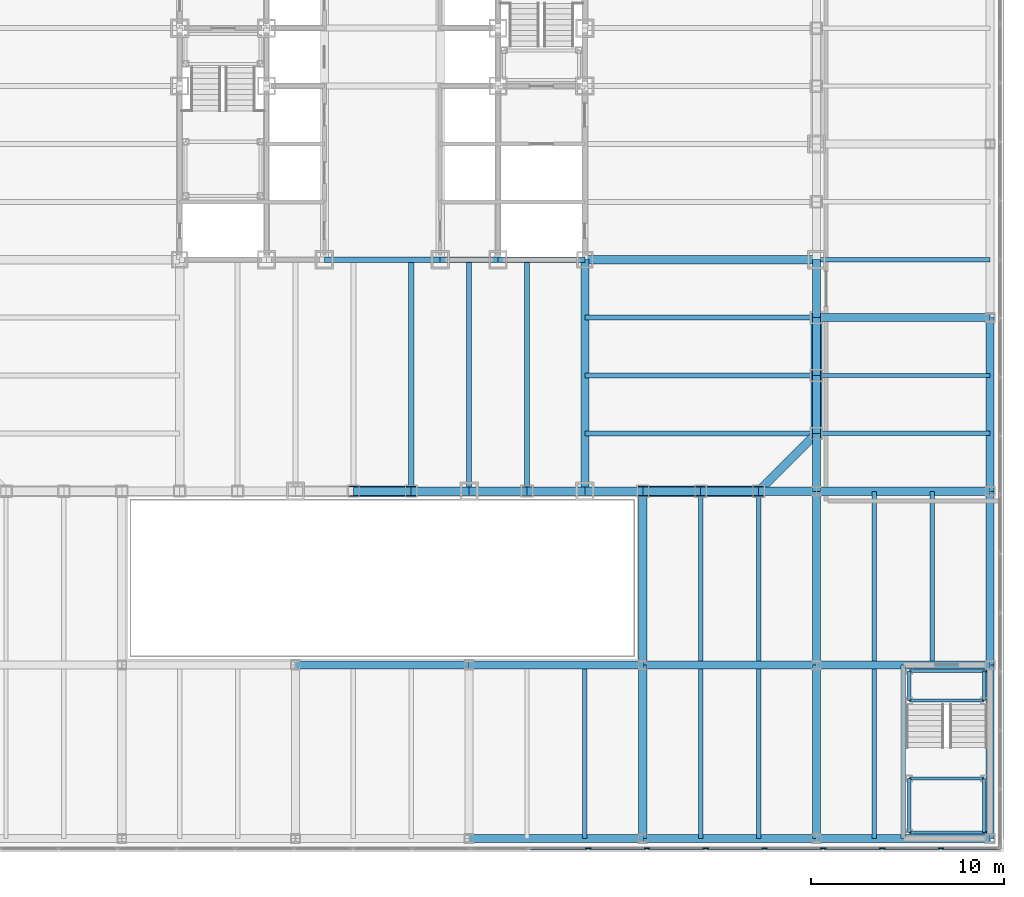
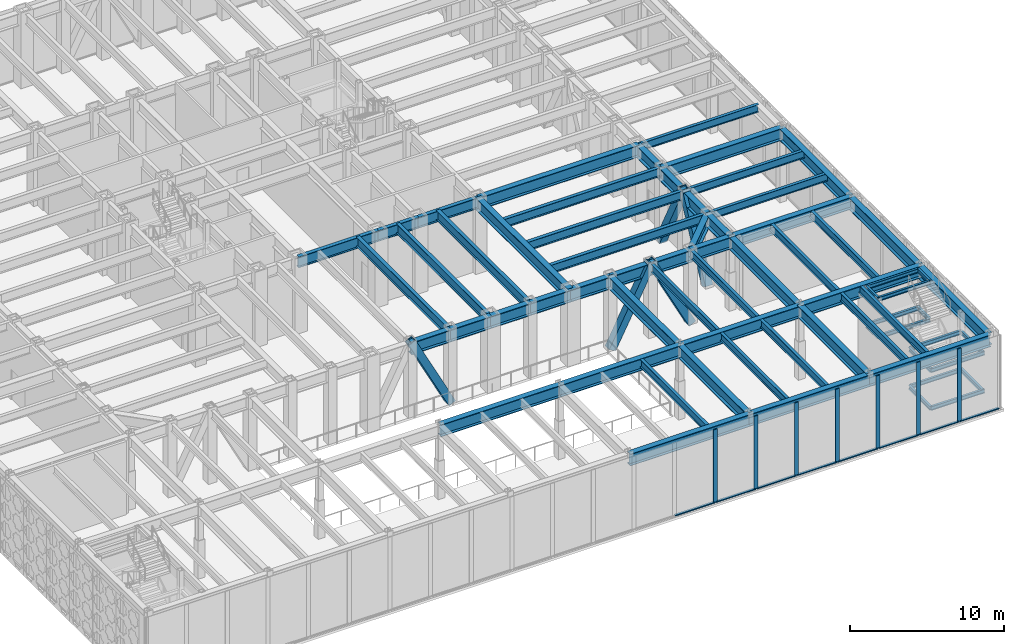
# One storey, part 5 of 32: 68 beams, 20 members, 1 element without a shape of its own.
"""IFC4 building model written with IfcOpenShell, lengths in metres."""

from ifc_helpers import new_model, si_unit, direction, frame, origin, origin_2d, place, context, subcontext, project, spatial, rectangle, hollow_rectangle, i_section, extrude, material, layer, layer_set, material_profile, profile_set, type_object, element, aggregate, save


model = new_model("IFC4")

# Units and contexts
model_context = context("Model", 3, precision=1e-05, world=origin(), true_north=direction((0.0, 1.0)))
body_context = subcontext(model_context, "Body", "Model", "MODEL_VIEW")
ifc_project = project(units=[si_unit("LENGTHUNIT", "METRE"), si_unit("AREAUNIT", "SQUARE_METRE"), si_unit("VOLUMEUNIT", "CUBIC_METRE"), si_unit("PLANEANGLEUNIT", "RADIAN"), si_unit("MASSUNIT", "GRAM", prefix="KILO")], contexts=[model_context])

# Site, building, storey
site_placement = place(None, origin())
site = spatial("IfcSite", under=ifc_project, at=site_placement, CompositionType="ELEMENT")
building_placement = place(site_placement, origin())
building = spatial("IfcBuilding", under=site, at=building_placement, Name="Chuquiago Exchange Tower", CompositionType="ELEMENT")
storey_placement = place(building_placement, frame((0.0, 0.0, 13.5)))
storey = spatial("IfcBuildingStorey", under=building, at=storey_placement, Name="L02", CompositionType="ELEMENT", Elevation=13.5)

# Beams
ifc_material_1 = material(Name="Steel ASTM A992", Category="steel")
ifc_material_profile_1 = material_profile(ifc_material_1, i_section(OverallWidth=0.2919921875, OverallDepth=0.8583984375, WebThickness=0.01708984375, FlangeThickness=0.031005859375, at=origin_2d()), Name="W33X169")
ifc_profile_set_1 = profile_set([ifc_material_profile_1], Name="Steel ASTM A992")
beam_type_1 = type_object("IfcBeamType", Name="B3 W33X169", PredefinedType="BEAM", material=ifc_profile_set_1)
beam_1_placement = place(storey_placement, frame((19.5, 12.0, 5.37060546875), z_axis=(1.0, 0.0, 0.0), x_axis=(0.0, 1.0, 0.0)))
element("IfcBeam", 1, at=beam_1_placement, inside=storey, type_object=beam_type_1, Name="CB-L03-19.5_12-25.5_12", PredefinedType="BEAM", context=body_context, shape_type="SweptSolid", body=[
    extrude(i_section(OverallWidth=0.2919921875, OverallDepth=0.8583984375, WebThickness=0.01708984375, FlangeThickness=0.031005859375, at=origin_2d()), origin(), (0.0, 0.0, 1.0), 6.0),
])
beam_2_placement = place(storey_placement, frame((25.5, 12.0, 5.37060546875), z_axis=(1.0, 0.0, 0.0), x_axis=(0.0, 1.0, 0.0)))
element("IfcBeam", 2, at=beam_2_placement, inside=storey, type_object=beam_type_1, Name="CB-L03-25.5_12-28.5_12", PredefinedType="BEAM", context=body_context, shape_type="SweptSolid", body=[
    extrude(i_section(OverallWidth=0.2919921875, OverallDepth=0.8583984375, WebThickness=0.01708984375, FlangeThickness=0.031005859375, at=origin_2d()), origin(), (0.0, 0.0, 1.0), 3.0),
])
beam_3_placement = place(storey_placement, frame((28.5, 12.0, 5.37060546875), z_axis=(1.0, 0.0, 0.0), x_axis=(0.0, 1.0, 0.0)))
element("IfcBeam", 3, at=beam_3_placement, inside=storey, type_object=beam_type_1, Name="CB-L03-28.5_12-33_12", PredefinedType="BEAM", context=body_context, shape_type="SweptSolid", body=[
    extrude(i_section(OverallWidth=0.2919921875, OverallDepth=0.8583984375, WebThickness=0.01708984375, FlangeThickness=0.031005859375, at=origin_2d()), origin(), (0.0, 0.0, 1.0), 4.5),
])
ifc_material_2 = material(Name="Steel ASTM A992", Category="steel")
ifc_material_profile_2 = material_profile(ifc_material_2, i_section(OverallWidth=0.2666015625, OverallDepth=0.761962890625, WebThickness=0.014404296875, FlangeThickness=0.021484375, at=origin_2d()), Name="W30X116")
ifc_profile_set_2 = profile_set([ifc_material_profile_2], Name="Steel ASTM A992")
beam_type_2 = type_object("IfcBeamType", Name="B8 W30X116", PredefinedType="BEAM", material=ifc_profile_set_2)
for number, where, z_axis, x_axis, name in (
    (4, (24.0, 12.0, 5.4189453125), (0.0, -1.0, 0.0), (1.0, 0.0, 0.0), "FB-L03-infill-24_12-24_-0-0"),
    (5, (27.0, 12.0, 5.4189453125), (0.0, -1.0, 0.0), (1.0, 0.0, 0.0), "FB-L03-infill-27_12-27_-0-0"),
    (6, (30.0, 12.0, 5.4189453125), (0.0, -1.0, 0.0), (1.0, 0.0, 0.0), "FB-L03-infill-30_12-30_-0-0"),
):
    element("IfcBeam", number, at=place(storey_placement, frame(where, z_axis=z_axis, x_axis=x_axis)), inside=storey, type_object=beam_type_2, Name=name, PredefinedType="BEAM", context=body_context, shape_type="SweptSolid", body=[
        extrude(i_section(OverallWidth=0.2666015625, OverallDepth=0.761962890625, WebThickness=0.014404296875, FlangeThickness=0.021484375, at=origin_2d()), origin(), (0.0, 0.0, 1.0), 12.0),
    ])
ifc_material_3 = material(Name="Steel ASTM A992", Category="steel")
ifc_material_profile_3 = material_profile(ifc_material_3, i_section(OverallWidth=0.256591796875, OverallDepth=0.693359375, WebThickness=0.014404296875, FlangeThickness=0.023681640625, at=origin_2d()), Name="W27X114")
ifc_profile_set_3 = profile_set([ifc_material_profile_3], Name="Steel ASTM A992")
beam_type_3 = type_object("IfcBeamType", Name="B9 W27X114", PredefinedType="BEAM", material=ifc_profile_set_3)
for number, where, z_axis, x_axis, name in (
    (7, (33.0, 3.0, 5.453369140625), (1.0, 0.0, 0.0), (0.0, 1.0, 0.0), "FB-L03-corner-33_3-45_3-0"),
    (8, (33.0, 6.0, 5.453369140625), (1.0, 0.0, 0.0), (0.0, 1.0, 0.0), "FB-L03-corner-33_6-45_6-0"),
    (9, (33.0, 9.0, 5.453369140625), (1.0, 0.0, 0.0), (0.0, 1.0, 0.0), "FB-L03-corner-33_9-45_9-0"),
):
    element("IfcBeam", number, at=place(storey_placement, frame(where, z_axis=z_axis, x_axis=x_axis)), inside=storey, type_object=beam_type_3, Name=name, PredefinedType="BEAM", context=body_context, shape_type="SweptSolid", body=[
        extrude(i_section(OverallWidth=0.256591796875, OverallDepth=0.693359375, WebThickness=0.014404296875, FlangeThickness=0.023681640625, at=origin_2d()), origin(), (0.0, 0.0, 1.0), 12.0),
    ])

# Curtain wall, members
ifc_material_4 = material(Name="Aluminium curtain wall system", Category="aluminium")
ifc_layer = layer(ifc_material_4, 0.300048828125)
ifc_layer_set = layer_set([ifc_layer], Name="CW4 podium curtain wall")
curtain_wall_type = type_object("IfcCurtainWallType", Name="CW4 podium curtain wall", PredefinedType="NOTDEFINED", material=ifc_layer_set)
curtain_wall_placement = place(storey_placement, origin())
curtain_wall = element("IfcCurtainWall", 10, at=curtain_wall_placement, inside=storey, type_object=curtain_wall_type, Name="CW4 curtain wall L02", PredefinedType="NOTDEFINED")
ifc_material_5 = material(Name="Aluminium mullion, pale anodised", Category="aluminium")
ifc_material_profile_4 = material_profile(ifc_material_5, rectangle(XDim=0.074951171875, YDim=0.300048828125, at=origin_2d()), Name="AL 75x300")
ifc_profile_set_4 = profile_set([ifc_material_profile_4], Name="Aluminium mullion, pale anodised")
member_type_1 = type_object("IfcMemberType", Name="CW4-M mullion 75x300", PredefinedType="MULLION", material=ifc_profile_set_4)
member_1_placement = place(storey_placement, frame((33.166748046875, -18.5, 0.0), z_axis=(0.0, 0.0, 1.0), x_axis=(0.0, 1.0, 0.0)))
member_1 = element("IfcMember", 11, at=member_1_placement, type_object=member_type_1, Name="CW4 mullion 15", PredefinedType="MULLION", context=body_context, shape_type="SweptSolid", body=[
    extrude(rectangle(XDim=0.074951171875, YDim=0.300048828125, at=origin_2d()), origin(), (0.0, 0.0, 1.0), 5.800048828125),
])
member_2_placement = place(storey_placement, frame((36.21435546875, -18.5, 0.0), z_axis=(0.0, 0.0, 1.0), x_axis=(0.0, 1.0, 0.0)))
member_2 = element("IfcMember", 12, at=member_2_placement, type_object=member_type_1, Name="CW4 mullion 16", PredefinedType="MULLION", context=body_context, shape_type="SweptSolid", body=[
    extrude(rectangle(XDim=0.074951171875, YDim=0.300048828125, at=origin_2d()), origin(), (0.0, 0.0, 1.0), 5.800048828125),
])
member_3_placement = place(storey_placement, frame((39.261962890625, -18.5, 0.0), z_axis=(0.0, 0.0, 1.0), x_axis=(0.0, 1.0, 0.0)))
member_3 = element("IfcMember", 13, at=member_3_placement, type_object=member_type_1, Name="CW4 mullion 17", PredefinedType="MULLION", context=body_context, shape_type="SweptSolid", body=[
    extrude(rectangle(XDim=0.074951171875, YDim=0.300048828125, at=origin_2d()), origin(), (0.0, 0.0, 1.0), 5.800048828125),
])
member_4_placement = place(storey_placement, frame((42.3095703125, -18.5, 0.0), z_axis=(0.0, 0.0, 1.0), x_axis=(0.0, 1.0, 0.0)))
member_4 = element("IfcMember", 14, at=member_4_placement, type_object=member_type_1, Name="CW4 mullion 18", PredefinedType="MULLION", context=body_context, shape_type="SweptSolid", body=[
    extrude(rectangle(XDim=0.074951171875, YDim=0.300048828125, at=origin_2d()), origin(), (0.0, 0.0, 1.0), 5.800048828125),
])
member_5_placement = place(storey_placement, frame((45.357177734375, -18.5, 0.0), z_axis=(0.0, 0.0, 1.0), x_axis=(0.0, 1.0, 0.0)))
member_5 = element("IfcMember", 15, at=member_5_placement, type_object=member_type_1, Name="CW4 mullion 19", PredefinedType="MULLION", context=body_context, shape_type="SweptSolid", body=[
    extrude(rectangle(XDim=0.074951171875, YDim=0.300048828125, at=origin_2d()), origin(), (0.0, 0.0, 1.0), 5.800048828125),
])
member_6_placement = place(storey_placement, frame((48.40478515625, -18.5, 0.0), z_axis=(0.0, 0.0, 1.0), x_axis=(0.0, 1.0, 0.0)))
member_6 = element("IfcMember", 16, at=member_6_placement, type_object=member_type_1, Name="CW4 mullion 20", PredefinedType="MULLION", context=body_context, shape_type="SweptSolid", body=[
    extrude(rectangle(XDim=0.074951171875, YDim=0.300048828125, at=origin_2d()), origin(), (0.0, 0.0, 1.0), 5.800048828125),
])
member_7_placement = place(storey_placement, frame((51.452392578125, -18.5, 0.0), z_axis=(0.0, 0.0, 1.0), x_axis=(0.0, 1.0, 0.0)))
member_7 = element("IfcMember", 17, at=member_7_placement, type_object=member_type_1, Name="CW4 mullion 21", PredefinedType="MULLION", context=body_context, shape_type="SweptSolid", body=[
    extrude(rectangle(XDim=0.074951171875, YDim=0.300048828125, at=origin_2d()), origin(), (0.0, 0.0, 1.0), 5.800048828125),
])
ifc_material_6 = material(Name="Aluminium transom, pale anodised", Category="aluminium")
ifc_material_profile_5 = material_profile(ifc_material_6, rectangle(XDim=0.179931640625, YDim=0.074951171875, at=origin_2d()), Name="AL 180x75")
ifc_profile_set_5 = profile_set([ifc_material_profile_5], Name="Aluminium transom, pale anodised")
member_type_2 = type_object("IfcMemberType", Name="CW4-T transom 75x180", PredefinedType="MULLION", material=ifc_profile_set_5)
member_8_placement = place(storey_placement, frame((30.156494140625, -18.5, 0.03759765625), z_axis=(1.0, 0.0, 0.0), x_axis=(0.0, 1.0, 0.0)))
member_8 = element("IfcMember", 18, at=member_8_placement, type_object=member_type_2, Name="CW4 transom 14.1", PredefinedType="MULLION", context=body_context, shape_type="SweptSolid", body=[
    extrude(rectangle(XDim=0.179931640625, YDim=0.074951171875, at=origin_2d()), origin(), (0.0, 0.0, 1.0), 2.97265625),
])
member_9_placement = place(storey_placement, frame((33.2041015625, -18.5, 0.03759765625), z_axis=(1.0, 0.0, 0.0), x_axis=(0.0, 1.0, 0.0)))
member_9 = element("IfcMember", 19, at=member_9_placement, type_object=member_type_2, Name="CW4 transom 15.1", PredefinedType="MULLION", context=body_context, shape_type="SweptSolid", body=[
    extrude(rectangle(XDim=0.179931640625, YDim=0.074951171875, at=origin_2d()), origin(), (0.0, 0.0, 1.0), 2.97265625),
])
member_10_placement = place(storey_placement, frame((36.251708984375, -18.5, 0.03759765625), z_axis=(1.0, 0.0, 0.0), x_axis=(0.0, 1.0, 0.0)))
member_10 = element("IfcMember", 20, at=member_10_placement, type_object=member_type_2, Name="CW4 transom 16.1", PredefinedType="MULLION", context=body_context, shape_type="SweptSolid", body=[
    extrude(rectangle(XDim=0.179931640625, YDim=0.074951171875, at=origin_2d()), origin(), (0.0, 0.0, 1.0), 2.97265625),
])
member_11_placement = place(storey_placement, frame((39.29931640625, -18.5, 0.03759765625), z_axis=(1.0, 0.0, 0.0), x_axis=(0.0, 1.0, 0.0)))
member_11 = element("IfcMember", 21, at=member_11_placement, type_object=member_type_2, Name="CW4 transom 17.1", PredefinedType="MULLION", context=body_context, shape_type="SweptSolid", body=[
    extrude(rectangle(XDim=0.179931640625, YDim=0.074951171875, at=origin_2d()), origin(), (0.0, 0.0, 1.0), 2.97265625),
])
member_12_placement = place(storey_placement, frame((42.346923828125, -18.5, 0.03759765625), z_axis=(1.0, 0.0, 0.0), x_axis=(0.0, 1.0, 0.0)))
member_12 = element("IfcMember", 22, at=member_12_placement, type_object=member_type_2, Name="CW4 transom 18.1", PredefinedType="MULLION", context=body_context, shape_type="SweptSolid", body=[
    extrude(rectangle(XDim=0.179931640625, YDim=0.074951171875, at=origin_2d()), origin(), (0.0, 0.0, 1.0), 2.97265625),
])
member_13_placement = place(storey_placement, frame((45.39453125, -18.5, 0.03759765625), z_axis=(1.0, 0.0, 0.0), x_axis=(0.0, 1.0, 0.0)))
member_13 = element("IfcMember", 23, at=member_13_placement, type_object=member_type_2, Name="CW4 transom 19.1", PredefinedType="MULLION", context=body_context, shape_type="SweptSolid", body=[
    extrude(rectangle(XDim=0.179931640625, YDim=0.074951171875, at=origin_2d()), origin(), (0.0, 0.0, 1.0), 2.97265625),
])
member_14_placement = place(storey_placement, frame((48.4423828125, -18.5, 0.03759765625), z_axis=(1.0, 0.0, 0.0), x_axis=(0.0, 1.0, 0.0)))
member_14 = element("IfcMember", 24, at=member_14_placement, type_object=member_type_2, Name="CW4 transom 20.1", PredefinedType="MULLION", context=body_context, shape_type="SweptSolid", body=[
    extrude(rectangle(XDim=0.179931640625, YDim=0.074951171875, at=origin_2d()), origin(), (0.0, 0.0, 1.0), 2.972412109375),
])
member_15_placement = place(storey_placement, frame((51.489990234375, -18.5, 0.03759765625), z_axis=(1.0, 0.0, 0.0), x_axis=(0.0, 1.0, 0.0)))
member_15 = element("IfcMember", 25, at=member_15_placement, type_object=member_type_2, Name="CW4 transom 21.1", PredefinedType="MULLION", context=body_context, shape_type="SweptSolid", body=[
    extrude(rectangle(XDim=0.179931640625, YDim=0.074951171875, at=origin_2d()), origin(), (0.0, 0.0, 1.0), 2.93505859375),
])
aggregate(curtain_wall, [member_1, member_2, member_3, member_4, member_5, member_6, member_7, member_8, member_9, member_10, member_11, member_12, member_13, member_14, member_15])

# Beams
ifc_material_7 = material(Name="Steel ASTM A992", Category="steel")
ifc_material_profile_6 = material_profile(ifc_material_7, i_section(OverallWidth=0.424072265625, OverallDepth=0.947509765625, WebThickness=0.02392578125, FlangeThickness=0.042724609375, at=origin_2d()), Name="W36X302")
ifc_profile_set_6 = profile_set([ifc_material_profile_6], Name="Steel ASTM A992")
beam_type_4 = type_object("IfcBeamType", Name="G4 W36X302", PredefinedType="BEAM", material=ifc_profile_set_6)
for number, where, z_axis, x_axis, name in (
    (26, (33.0, 12.0, 5.326416015625), (0.0, -1.0, 0.0), (1.0, 0.0, 0.0), "FB-L03-girder-33_12-33_-0-0"),
    (27, (33.0, 12.0, 5.326416015625), (1.0, 0.0, 0.0), (0.0, 1.0, 0.0), "FB-L03-girder-33_12-45_12-0"),
):
    element("IfcBeam", number, at=place(storey_placement, frame(where, z_axis=z_axis, x_axis=x_axis)), inside=storey, type_object=beam_type_4, Name=name, PredefinedType="BEAM", context=body_context, shape_type="SweptSolid", body=[
        extrude(i_section(OverallWidth=0.424072265625, OverallDepth=0.947509765625, WebThickness=0.02392578125, FlangeThickness=0.042724609375, at=origin_2d()), origin(), (0.0, 0.0, 1.0), 12.0),
    ])
ifc_material_8 = material(Name="Steel ASTM A992", Category="steel")
ifc_material_profile_7 = material_profile(ifc_material_8, i_section(OverallWidth=0.164794921875, OverallDepth=0.309814453125, WebThickness=0.005859375, FlangeThickness=0.009765625, at=origin_2d()), Name="W12X26")
ifc_profile_set_7 = profile_set([ifc_material_profile_7], Name="Steel ASTM A992")
beam_type_5 = type_object("IfcBeamType", Name="LS1 W12X26", PredefinedType="BEAM", material=ifc_profile_set_7)
for number, where, z_axis, x_axis, name in (
    (28, (49.81005859375, -17.68994140625, 1.14501953125), (0.0, 1.0, 0.0), (-1.0, 0.0, 0.0), "Stair PS2 L02 landing 1 stringer"),
    (29, (53.68994140625, -17.68994140625, 1.14501953125), (0.0, 1.0, 0.0), (-1.0, 0.0, 0.0), "Stair PS2 L02 landing 1 stringer"),
):
    element("IfcBeam", number, at=place(storey_placement, frame(where, z_axis=z_axis, x_axis=x_axis)), inside=storey, type_object=beam_type_5, Name=name, PredefinedType="BEAM", context=body_context, shape_type="SweptSolid", body=[
        extrude(i_section(OverallWidth=0.164794921875, OverallDepth=0.309814453125, WebThickness=0.005859375, FlangeThickness=0.009765625, at=origin_2d()), origin(), (0.0, 0.0, 1.0), 2.800048828125),
    ])
for number, where, z_axis, x_axis, name in (
    (30, (49.81005859375, -10.85009765625, 2.64501953125), (0.0, 1.0, 0.0), (-1.0, 0.0, 0.0), "Stair PS2 L02 landing 2 stringer"),
    (31, (53.68994140625, -10.85009765625, 2.64501953125), (0.0, 1.0, 0.0), (-1.0, 0.0, 0.0), "Stair PS2 L02 landing 2 stringer"),
):
    element("IfcBeam", number, at=place(storey_placement, frame(where, z_axis=z_axis, x_axis=x_axis)), inside=storey, type_object=beam_type_5, Name=name, PredefinedType="BEAM", context=body_context, shape_type="SweptSolid", body=[
        extrude(i_section(OverallWidth=0.164794921875, OverallDepth=0.309814453125, WebThickness=0.005859375, FlangeThickness=0.009765625, at=origin_2d()), origin(), (0.0, 0.0, 1.0), 1.5400390625),
    ])
for number, where, z_axis, x_axis, name in (
    (32, (49.81005859375, -17.68994140625, 4.14501953125), (0.0, 1.0, 0.0), (-1.0, 0.0, 0.0), "Stair PS2 L02 landing 3 stringer"),
    (33, (53.68994140625, -17.68994140625, 4.14501953125), (0.0, 1.0, 0.0), (-1.0, 0.0, 0.0), "Stair PS2 L02 landing 3 stringer"),
):
    element("IfcBeam", number, at=place(storey_placement, frame(where, z_axis=z_axis, x_axis=x_axis)), inside=storey, type_object=beam_type_5, Name=name, PredefinedType="BEAM", context=body_context, shape_type="SweptSolid", body=[
        extrude(i_section(OverallWidth=0.164794921875, OverallDepth=0.309814453125, WebThickness=0.005859375, FlangeThickness=0.009765625, at=origin_2d()), origin(), (0.0, 0.0, 1.0), 2.800048828125),
    ])
for number, where, z_axis, x_axis, name in (
    (34, (49.81005859375, -10.85009765625, 5.64501953125), (0.0, 1.0, 0.0), (-1.0, 0.0, 0.0), "Stair PS2 top landing stringer"),
    (35, (53.68994140625, -10.85009765625, 5.64501953125), (0.0, 1.0, 0.0), (-1.0, 0.0, 0.0), "Stair PS2 top landing stringer"),
):
    element("IfcBeam", number, at=place(storey_placement, frame(where, z_axis=z_axis, x_axis=x_axis)), inside=storey, type_object=beam_type_5, Name=name, PredefinedType="BEAM", context=body_context, shape_type="SweptSolid", body=[
        extrude(i_section(OverallWidth=0.164794921875, OverallDepth=0.309814453125, WebThickness=0.005859375, FlangeThickness=0.009765625, at=origin_2d()), origin(), (0.0, 0.0, 1.0), 1.5400390625),
    ])
ifc_material_9 = material(Name="Steel ASTM A992", Category="steel")
ifc_material_profile_8 = material_profile(ifc_material_9, i_section(OverallWidth=0.164794921875, OverallDepth=0.309814453125, WebThickness=0.005859375, FlangeThickness=0.009765625, at=origin_2d()), Name="W12X26")
ifc_profile_set_8 = profile_set([ifc_material_profile_8], Name="Steel ASTM A992")
beam_type_6 = type_object("IfcBeamType", Name="LT1 W12X26", PredefinedType="BEAM", material=ifc_profile_set_8)
beam_4_placement = place(storey_placement, frame((49.81005859375, -17.68994140625, 1.14501953125), z_axis=(1.0, 0.0, 0.0), x_axis=(0.0, 1.0, 0.0)))
element("IfcBeam", 36, at=beam_4_placement, inside=storey, type_object=beam_type_6, Name="Stair PS2 L02 landing 1 trimmer", PredefinedType="BEAM", context=body_context, shape_type="SweptSolid", body=[
    extrude(i_section(OverallWidth=0.164794921875, OverallDepth=0.309814453125, WebThickness=0.005859375, FlangeThickness=0.009765625, at=origin_2d()), origin(), (0.0, 0.0, 1.0), 4.004150390625),
])
for number, where, z_axis, x_axis, name in (
    (37, (49.81005859375, -14.889892578125, 1.14501953125), (1.0, 0.0, 0.0), (0.0, 1.0, 0.0), "Stair PS2 L02 landing 1 trimmer"),
    (38, (49.81005859375, -10.85009765625, 2.64501953125), (1.0, 0.0, 0.0), (0.0, 1.0, 0.0), "Stair PS2 L02 landing 2 trimmer"),
):
    element("IfcBeam", number, at=place(storey_placement, frame(where, z_axis=z_axis, x_axis=x_axis)), inside=storey, type_object=beam_type_6, Name=name, PredefinedType="BEAM", context=body_context, shape_type="SweptSolid", body=[
        extrude(i_section(OverallWidth=0.164794921875, OverallDepth=0.309814453125, WebThickness=0.005859375, FlangeThickness=0.009765625, at=origin_2d()), origin(), (0.0, 0.0, 1.0), 3.8798828125),
    ])
for number, where, z_axis, x_axis, name in (
    (39, (49.81005859375, -9.31005859375, 2.64501953125), (1.0, 0.0, 0.0), (0.0, 1.0, 0.0), "Stair PS2 L02 landing 2 trimmer"),
    (40, (49.81005859375, -17.68994140625, 4.14501953125), (1.0, 0.0, 0.0), (0.0, 1.0, 0.0), "Stair PS2 L02 landing 3 trimmer"),
):
    element("IfcBeam", number, at=place(storey_placement, frame(where, z_axis=z_axis, x_axis=x_axis)), inside=storey, type_object=beam_type_6, Name=name, PredefinedType="BEAM", context=body_context, shape_type="SweptSolid", body=[
        extrude(i_section(OverallWidth=0.164794921875, OverallDepth=0.309814453125, WebThickness=0.005859375, FlangeThickness=0.009765625, at=origin_2d()), origin(), (0.0, 0.0, 1.0), 4.004150390625),
    ])
for number, where, z_axis, x_axis, name in (
    (41, (49.81005859375, -14.889892578125, 4.14501953125), (1.0, 0.0, 0.0), (0.0, 1.0, 0.0), "Stair PS2 L02 landing 3 trimmer"),
    (42, (49.81005859375, -10.85009765625, 5.64501953125), (1.0, 0.0, 0.0), (0.0, 1.0, 0.0), "Stair PS2 top landing trimmer"),
):
    element("IfcBeam", number, at=place(storey_placement, frame(where, z_axis=z_axis, x_axis=x_axis)), inside=storey, type_object=beam_type_6, Name=name, PredefinedType="BEAM", context=body_context, shape_type="SweptSolid", body=[
        extrude(i_section(OverallWidth=0.164794921875, OverallDepth=0.309814453125, WebThickness=0.005859375, FlangeThickness=0.009765625, at=origin_2d()), origin(), (0.0, 0.0, 1.0), 3.8798828125),
    ])
beam_5_placement = place(storey_placement, frame((49.81005859375, -9.31005859375, 5.64501953125), z_axis=(1.0, 0.0, 0.0), x_axis=(0.0, 1.0, 0.0)))
element("IfcBeam", 43, at=beam_5_placement, inside=storey, type_object=beam_type_6, Name="Stair PS2 top landing trimmer", PredefinedType="BEAM", context=body_context, shape_type="SweptSolid", body=[
    extrude(i_section(OverallWidth=0.164794921875, OverallDepth=0.309814453125, WebThickness=0.005859375, FlangeThickness=0.009765625, at=origin_2d()), origin(), (0.0, 0.0, 1.0), 4.004150390625),
])

# Members
ifc_material_10 = material(Name="Steel ASTM A572 Grade 50", Category="steel")
ifc_material_profile_9 = material_profile(ifc_material_10, hollow_rectangle(XDim=0.550048828125, YDim=0.550048828125, WallThickness=0.044921875, at=origin_2d()), Name="BOX550X550X45")
ifc_profile_set_9 = profile_set([ifc_material_profile_9], Name="Steel ASTM A572 Grade 50")
member_type_3 = type_object("IfcMemberType", Name="MB1 BOX550X550X45", PredefinedType="BRACE", material=ifc_profile_set_9)
for number, where, z_axis, x_axis, name in (
    (44, (24.0, 0.0, 0.0), (-0.456929540486, 0.0, 0.889502892087), (0.0, -1.0, 0.0), "Mega diagonal L02 S face"),
    (45, (36.0, 0.0, 0.0), (0.456929540486, 0.0, 0.889502892087), (0.0, 1.0, 0.0), "Mega diagonal L02 S face"),
    (46, (42.0, 0.0, 0.0), (-0.456929540486, 0.0, 0.889502892087), (0.0, -1.0, 0.0), "Mega diagonal L02 S face"),
    (47, (45.0, 3.0, 0.0), (0.0, 0.456929540486, 0.889502892087), (-1.0, 0.0, 0.0), "Mega diagonal L02 E face"),
    (48, (45.0, 9.0, 0.0), (0.0, -0.456929540486, 0.889502892087), (1.0, 0.0, 0.0), "Mega diagonal L02 E face"),
):
    element("IfcMember", number, at=place(storey_placement, frame(where, z_axis=z_axis, x_axis=x_axis)), inside=storey, type_object=member_type_3, Name=name, PredefinedType="BRACE", context=body_context, shape_type="SweptSolid", body=[
        extrude(hollow_rectangle(XDim=0.550048828125, YDim=0.550048828125, WallThickness=0.044921875, at=origin_2d()), origin(), (0.0, 0.0, 1.0), 6.565673828125),
    ])

# Beams
ifc_material_11 = material(Name="Steel ASTM A992", Category="steel")
ifc_material_profile_10 = material_profile(ifc_material_11, i_section(OverallWidth=0.227783203125, OverallDepth=0.60205078125, WebThickness=0.010498046875, FlangeThickness=0.014892578125, at=origin_2d()), Name="W24X68")
ifc_profile_set_10 = profile_set([ifc_material_profile_10], Name="Steel ASTM A992")
beam_type_7 = type_object("IfcBeamType", Name="PB1 W24X68", PredefinedType="BEAM", material=ifc_profile_set_10)
beam_6_placement = place(storey_placement, frame((49.5, -18.0, 5.4990234375), z_axis=(0.0, 1.0, 0.0), x_axis=(-1.0, 0.0, 0.0)))
element("IfcBeam", 49, at=beam_6_placement, inside=storey, type_object=beam_type_7, Name="PT-L03-PS2", PredefinedType="BEAM", context=body_context, shape_type="SweptSolid", body=[
    extrude(i_section(OverallWidth=0.227783203125, OverallDepth=0.60205078125, WebThickness=0.010498046875, FlangeThickness=0.014892578125, at=origin_2d()), origin(), (0.0, 0.0, 1.0), 9.0),
])
for number, where, z_axis, x_axis, name in (
    (50, (33.0, -18.0, 5.4990234375), (0.0, 1.0, 0.0), (-1.0, 0.0, 0.0), "PB-L03-33_-18"),
    (51, (39.0, -18.0, 5.4990234375), (0.0, 1.0, 0.0), (-1.0, 0.0, 0.0), "PB-L03-39_-18"),
    (52, (39.0, -8.787841796875, 5.4990234375), (0.0, 1.0, 0.0), (-1.0, 0.0, 0.0), "PB-L03-39_-9"),
    (53, (42.0, -18.0, 5.4990234375), (0.0, 1.0, 0.0), (-1.0, 0.0, 0.0), "PB-L03-42_-18"),
    (54, (42.0, -8.787841796875, 5.4990234375), (0.0, 1.0, 0.0), (-1.0, 0.0, 0.0), "PB-L03-42_-9"),
    (55, (48.0, -18.0, 5.4990234375), (0.0, 1.0, 0.0), (-1.0, 0.0, 0.0), "PB-L03-48_-18"),
    (56, (48.0, -8.787841796875, 5.4990234375), (0.0, 1.0, 0.0), (-1.0, 0.0, 0.0), "PB-L03-48_-9"),
    (57, (51.0, -8.787841796875, 5.4990234375), (0.0, 1.0, 0.0), (-1.0, 0.0, 0.0), "PB-L03-51_-9"),
):
    element("IfcBeam", number, at=place(storey_placement, frame(where, z_axis=z_axis, x_axis=x_axis)), inside=storey, type_object=beam_type_7, Name=name, PredefinedType="BEAM", context=body_context, shape_type="SweptSolid", body=[
        extrude(i_section(OverallWidth=0.227783203125, OverallDepth=0.60205078125, WebThickness=0.010498046875, FlangeThickness=0.014892578125, at=origin_2d()), origin(), (0.0, 0.0, 1.0), 8.787841796875),
    ])
for number, where, z_axis, x_axis, name in (
    (58, (45.0, 3.0, 5.4990234375), (1.0, 0.0, 0.0), (0.0, 1.0, 0.0), "PB-L03-45_3"),
    (59, (45.0, 6.0, 5.4990234375), (1.0, 0.0, 0.0), (0.0, 1.0, 0.0), "PB-L03-45_6"),
    (60, (45.0, 12.0, 5.4990234375), (1.0, 0.0, 0.0), (0.0, 1.0, 0.0), "PB-L03-45_12"),
):
    element("IfcBeam", number, at=place(storey_placement, frame(where, z_axis=z_axis, x_axis=x_axis)), inside=storey, type_object=beam_type_7, Name=name, PredefinedType="BEAM", context=body_context, shape_type="SweptSolid", body=[
        extrude(i_section(OverallWidth=0.227783203125, OverallDepth=0.60205078125, WebThickness=0.010498046875, FlangeThickness=0.014892578125, at=origin_2d()), origin(), (0.0, 0.0, 1.0), 9.0),
    ])
ifc_material_12 = material(Name="Steel ASTM A992", Category="steel")
ifc_material_profile_11 = material_profile(ifc_material_12, i_section(OverallWidth=0.424072265625, OverallDepth=0.947509765625, WebThickness=0.02392578125, FlangeThickness=0.042724609375, at=origin_2d()), Name="W36X302")
ifc_profile_set_11 = profile_set([ifc_material_profile_11], Name="Steel ASTM A992")
beam_type_8 = type_object("IfcBeamType", Name="PG1 W36X302", PredefinedType="BEAM", material=ifc_profile_set_11)
for number, where, z_axis, x_axis, name in (
    (61, (36.0, -18.0, 5.326416015625), (0.0, 1.0, 0.0), (-1.0, 0.0, 0.0), "PG-L03-36_-18-36_-9"),
    (62, (36.0, -9.0, 5.326416015625), (0.0, 1.0, 0.0), (-1.0, 0.0, 0.0), "PG-L03-36_-9-36_0"),
    (63, (45.0, -18.0, 5.326416015625), (0.0, 1.0, 0.0), (-1.0, 0.0, 0.0), "PG-L03-45_-18-45_-9"),
    (64, (45.0, -9.0, 5.326416015625), (0.0, 1.0, 0.0), (-1.0, 0.0, 0.0), "PG-L03-45_-9-45_0"),
):
    element("IfcBeam", number, at=place(storey_placement, frame(where, z_axis=z_axis, x_axis=x_axis)), inside=storey, type_object=beam_type_8, Name=name, PredefinedType="BEAM", context=body_context, shape_type="SweptSolid", body=[
        extrude(i_section(OverallWidth=0.424072265625, OverallDepth=0.947509765625, WebThickness=0.02392578125, FlangeThickness=0.042724609375, at=origin_2d()), origin(), (0.0, 0.0, 1.0), 9.0),
    ])
beam_7_placement = place(storey_placement, frame((45.0, 0.0, 5.326416015625), z_axis=(0.0, 1.0, 0.0), x_axis=(-1.0, 0.0, 0.0)))
element("IfcBeam", 65, at=beam_7_placement, inside=storey, type_object=beam_type_8, Name="PG-L03-45_0-45_3", PredefinedType="BEAM", context=body_context, shape_type="SweptSolid", body=[
    extrude(i_section(OverallWidth=0.424072265625, OverallDepth=0.947509765625, WebThickness=0.02392578125, FlangeThickness=0.042724609375, at=origin_2d()), origin(), (0.0, 0.0, 1.0), 3.0),
])
for number, where, z_axis, x_axis, name in (
    (66, (54.0, -18.0, 5.326416015625), (0.0, 1.0, 0.0), (-1.0, 0.0, 0.0), "PG-L03-54_-18-54_-9"),
    (67, (54.0, -9.0, 5.326416015625), (0.0, 1.0, 0.0), (-1.0, 0.0, 0.0), "PG-L03-54_-9-54_0"),
    (68, (54.0, 0.0, 5.326416015625), (0.0, 1.0, 0.0), (-1.0, 0.0, 0.0), "PG-L03-54_0-54_9"),
    (69, (27.0, -18.0, 5.326416015625), (1.0, 0.0, 0.0), (0.0, 1.0, 0.0), "PG-L03-27_-18-36_-18"),
    (70, (36.0, -18.0, 5.326416015625), (1.0, 0.0, 0.0), (0.0, 1.0, 0.0), "PG-L03-36_-18-45_-18"),
    (71, (45.0, -18.0, 5.326416015625), (1.0, 0.0, 0.0), (0.0, 1.0, 0.0), "PG-L03-45_-18-54_-18"),
    (72, (18.0, -9.0, 5.326416015625), (1.0, 0.0, 0.0), (0.0, 1.0, 0.0), "PG-L03-18_-9-27_-9"),
    (73, (27.0, -9.0, 5.326416015625), (1.0, 0.0, 0.0), (0.0, 1.0, 0.0), "PG-L03-27_-9-36_-9"),
    (74, (36.0, -9.0, 5.326416015625), (1.0, 0.0, 0.0), (0.0, 1.0, 0.0), "PG-L03-36_-9-45_-9"),
    (75, (45.0, -9.0, 5.326416015625), (1.0, 0.0, 0.0), (0.0, 1.0, 0.0), "PG-L03-45_-9-54_-9"),
):
    element("IfcBeam", number, at=place(storey_placement, frame(where, z_axis=z_axis, x_axis=x_axis)), inside=storey, type_object=beam_type_8, Name=name, PredefinedType="BEAM", context=body_context, shape_type="SweptSolid", body=[
        extrude(i_section(OverallWidth=0.424072265625, OverallDepth=0.947509765625, WebThickness=0.02392578125, FlangeThickness=0.042724609375, at=origin_2d()), origin(), (0.0, 0.0, 1.0), 9.0),
    ])
beam_8_placement = place(storey_placement, frame((42.0, 0.0, 5.326416015625), z_axis=(1.0, 0.0, 0.0), x_axis=(0.0, 1.0, 0.0)))
element("IfcBeam", 76, at=beam_8_placement, inside=storey, type_object=beam_type_8, Name="PG-L03-42_0-45_0", PredefinedType="BEAM", context=body_context, shape_type="SweptSolid", body=[
    extrude(i_section(OverallWidth=0.424072265625, OverallDepth=0.947509765625, WebThickness=0.02392578125, FlangeThickness=0.042724609375, at=origin_2d()), origin(), (0.0, 0.0, 1.0), 3.0),
])
for number, where, z_axis, x_axis, name in (
    (77, (45.0, 0.0, 5.326416015625), (1.0, 0.0, 0.0), (0.0, 1.0, 0.0), "PG-L03-45_0-54_0"),
    (78, (45.0, 9.0, 5.326416015625), (1.0, 0.0, 0.0), (0.0, 1.0, 0.0), "PG-L03-45_9-54_9"),
):
    element("IfcBeam", number, at=place(storey_placement, frame(where, z_axis=z_axis, x_axis=x_axis)), inside=storey, type_object=beam_type_8, Name=name, PredefinedType="BEAM", context=body_context, shape_type="SweptSolid", body=[
        extrude(i_section(OverallWidth=0.424072265625, OverallDepth=0.947509765625, WebThickness=0.02392578125, FlangeThickness=0.042724609375, at=origin_2d()), origin(), (0.0, 0.0, 1.0), 9.0),
    ])
ifc_material_13 = material(Name="Steel ASTM A992", Category="steel")
ifc_material_profile_12 = material_profile(ifc_material_13, i_section(OverallWidth=0.4267578125, OverallDepth=0.95751953125, WebThickness=0.028564453125, FlangeThickness=0.050048828125, at=origin_2d()), Name="W36X361")
ifc_profile_set_12 = profile_set([ifc_material_profile_12], Name="Steel ASTM A992")
beam_type_9 = type_object("IfcBeamType", Name="SP1 W36X361", PredefinedType="SPANDREL", material=ifc_profile_set_12)
for number, where, z_axis, x_axis, name in (
    (79, (21.0, 0.0, 5.3212890625), (1.0, 0.0, 0.0), (0.0, 1.0, 0.0), "SPB-L03-21_0-24_0"),
    (80, (24.0, 0.0, 5.3212890625), (1.0, 0.0, 0.0), (0.0, 1.0, 0.0), "SPB-L03-24_0-27_0"),
    (81, (27.0, 0.0, 5.3212890625), (1.0, 0.0, 0.0), (0.0, 1.0, 0.0), "SPB-L03-27_0-30_0"),
    (82, (30.0, 0.0, 5.3212890625), (1.0, 0.0, 0.0), (0.0, 1.0, 0.0), "SPB-L03-30_0-33_0"),
    (83, (33.0, 0.0, 5.3212890625), (1.0, 0.0, 0.0), (0.0, 1.0, 0.0), "SPB-L03-33_0-36_0"),
    (84, (36.0, 0.0, 5.3212890625), (1.0, 0.0, 0.0), (0.0, 1.0, 0.0), "SPB-L03-36_0-39_0"),
    (85, (39.0, 0.0, 5.3212890625), (1.0, 0.0, 0.0), (0.0, 1.0, 0.0), "SPB-L03-39_0-42_0"),
):
    element("IfcBeam", number, at=place(storey_placement, frame(where, z_axis=z_axis, x_axis=x_axis)), inside=storey, type_object=beam_type_9, Name=name, PredefinedType="SPANDREL", context=body_context, shape_type="SweptSolid", body=[
        extrude(i_section(OverallWidth=0.4267578125, OverallDepth=0.95751953125, WebThickness=0.028564453125, FlangeThickness=0.050048828125, at=origin_2d()), origin(), (0.0, 0.0, 1.0), 3.0),
    ])
beam_9_placement = place(storey_placement, frame((42.0, 0.0, 5.3212890625), z_axis=(0.707106781187, 0.707106781187, 0.0), x_axis=(-0.707106781187, 0.707106781187, 0.0)))
element("IfcBeam", 86, at=beam_9_placement, inside=storey, type_object=beam_type_9, Name="SPB-L03-42_0-45_3", PredefinedType="SPANDREL", context=body_context, shape_type="SweptSolid", body=[
    extrude(i_section(OverallWidth=0.4267578125, OverallDepth=0.95751953125, WebThickness=0.028564453125, FlangeThickness=0.050048828125, at=origin_2d()), origin(), (0.0, 0.0, 1.0), 4.24267578125),
])
for number, where, z_axis, x_axis, name in (
    (87, (45.0, 3.0, 5.3212890625), (0.0, 1.0, 0.0), (-1.0, 0.0, 0.0), "SPB-L03-45_3-45_6"),
    (88, (45.0, 6.0, 5.3212890625), (0.0, 1.0, 0.0), (-1.0, 0.0, 0.0), "SPB-L03-45_6-45_9"),
    (89, (45.0, 9.0, 5.3212890625), (0.0, 1.0, 0.0), (-1.0, 0.0, 0.0), "SPB-L03-45_9-45_12"),
):
    element("IfcBeam", number, at=place(storey_placement, frame(where, z_axis=z_axis, x_axis=x_axis)), inside=storey, type_object=beam_type_9, Name=name, PredefinedType="SPANDREL", context=body_context, shape_type="SweptSolid", body=[
        extrude(i_section(OverallWidth=0.4267578125, OverallDepth=0.95751953125, WebThickness=0.028564453125, FlangeThickness=0.050048828125, at=origin_2d()), origin(), (0.0, 0.0, 1.0), 3.0),
    ])

save(model, "model.ifc")
